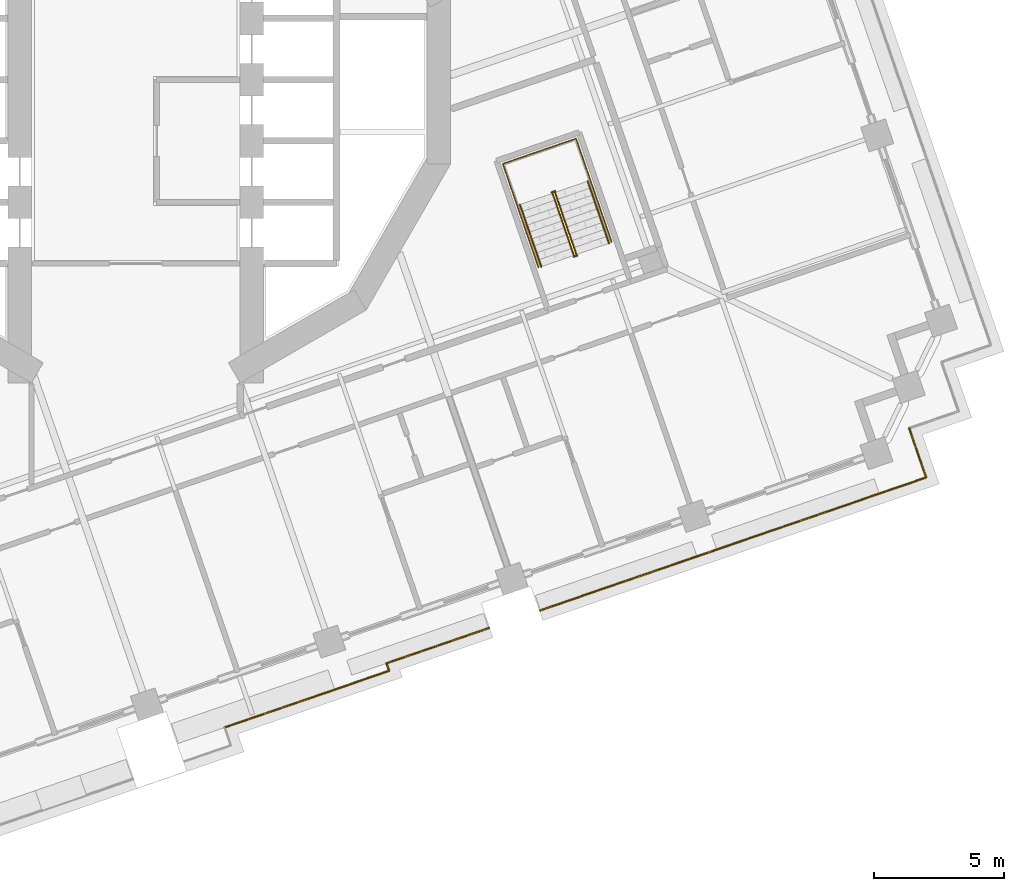
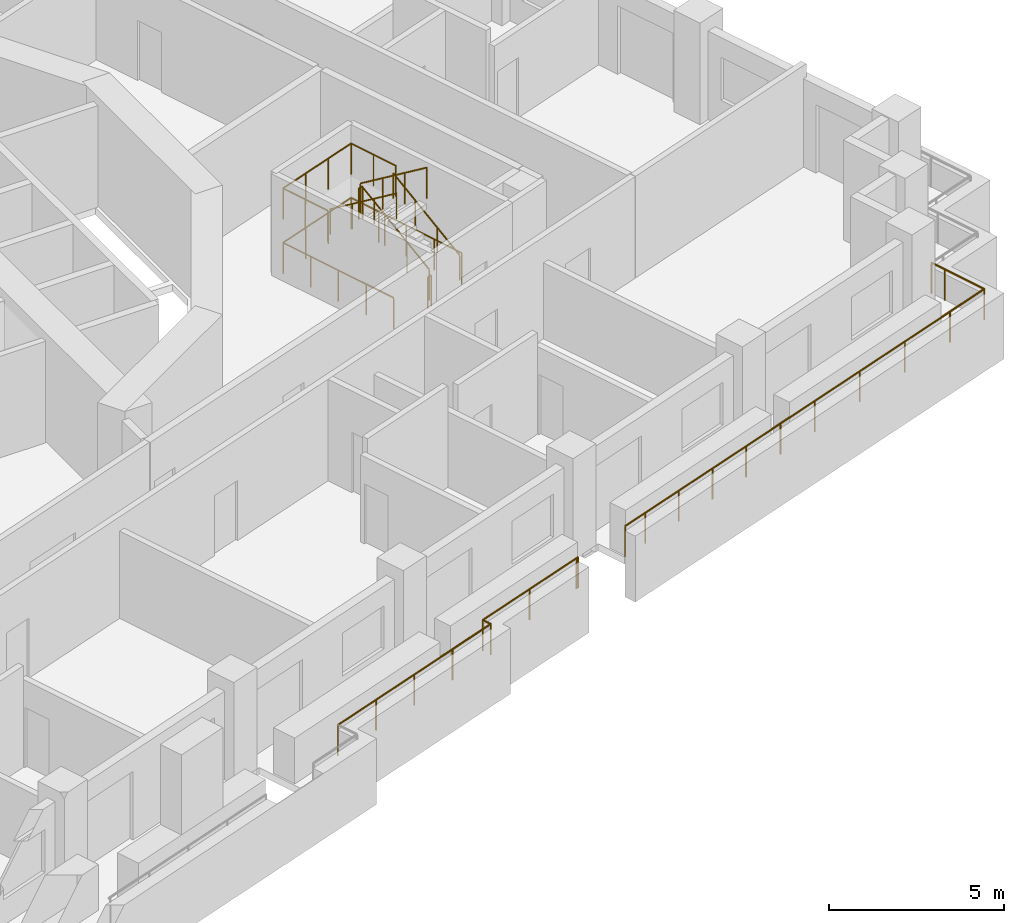
# One storey, part 14 of 18: 9 railings.
"""IFC4 building model written with IfcOpenShell, lengths in metres."""

from ifc_helpers import new_model, si_unit, direction, frame, origin, origin_2d, place, context, subcontext, project, spatial, circle, extrude, material, type_object, element, save


model = new_model("IFC4")

# Units and contexts
model_context = context("Model", 3, precision=1e-05, world=origin(), true_north=direction((0.0, 1.0)))
body_context = subcontext(model_context, "Body", "Model", "MODEL_VIEW")
ifc_project = project(units=[si_unit("LENGTHUNIT", "METRE"), si_unit("AREAUNIT", "SQUARE_METRE"), si_unit("VOLUMEUNIT", "CUBIC_METRE"), si_unit("PLANEANGLEUNIT", "RADIAN"), si_unit("MASSUNIT", "GRAM", prefix="KILO")], contexts=[model_context])

# Site, building, storey
site_placement = place(None, origin())
site = spatial("IfcSite", under=ifc_project, at=site_placement, CompositionType="ELEMENT")
building_placement = place(site_placement, origin())
building = spatial("IfcBuilding", under=site, at=building_placement, Name="Cantera Rosa Tower", CompositionType="ELEMENT")
storey_placement = place(building_placement, frame((0.0, 0.0, 134.5)))
storey = spatial("IfcBuildingStorey", under=building, at=storey_placement, Name="L28", CompositionType="ELEMENT", Elevation=134.5)

# Railings
ifc_material_1 = material(Name="Stainless steel and laminated glass", Category="steel")
railing_type_1 = type_object("IfcRailingType", Name="GUARD 1100", PredefinedType="BALUSTRADE", material=ifc_material_1)
railing_1_placement = place(storey_placement, frame((13.55615234375, -21.032470703125, 0.0)))
element("IfcRailing", 1, at=railing_1_placement, inside=storey, type_object=railing_type_1, Name="GUARD L28-9", PredefinedType="BALUSTRADE", context=body_context, shape_type="SweptSolid", body=[
    extrude(circle(Radius=0.030029296875, at=origin_2d()), frame((0.0, 0.0, 1.070068359375), z_axis=(-0.946220044844, -0.323523765333, 0.0), x_axis=(0.323523765333, -0.946220044844, 0.0)), (0.0, 0.0, 1.0), 0.070068359375),
    extrude(circle(Radius=0.030029296875, at=origin_2d()), frame((-0.06640625, -0.022705078125, 1.070068359375), z_axis=(-0.945499055222, -0.325624840228, 0.0), x_axis=(0.325624840228, -0.945499055222, 0.0)), (0.0, 0.0, 1.0), 4.093017578125),
    extrude(circle(Radius=0.030029296875, at=origin_2d()), frame((-3.936279296875, -1.35546875, 1.070068359375), z_axis=(0.325524604467, -0.945533569942, 0.0), x_axis=(0.945533569942, 0.325524604467, 0.0)), (0.0, 0.0, 1.0), 0.306640625),
    extrude(circle(Radius=0.030029296875, at=origin_2d()), frame((-3.83642578125, -1.6455078125, 1.070068359375), z_axis=(-0.94552097525, -0.325561185281, 0.0), x_axis=(0.325561185281, -0.94552097525, 0.0)), (0.0, 0.0, 1.0), 6.6748046875),
    extrude(circle(Radius=0.02490234375, at=origin_2d()), origin(), (0.0, 0.0, 1.0), 1.0400390625),
    extrude(circle(Radius=0.02490234375, at=origin_2d()), frame((-0.06640625, -0.022705078125, 0.0)), (0.0, 0.0, 1.0), 1.0400390625),
    extrude(circle(Radius=0.02490234375, at=origin_2d()), frame((-2.00146484375, -0.68896484375, 0.0)), (0.0, 0.0, 1.0), 1.0400390625),
    extrude(circle(Radius=0.02490234375, at=origin_2d()), frame((-3.936279296875, -1.35546875, 0.0)), (0.0, 0.0, 1.0), 1.0400390625),
    extrude(circle(Radius=0.02490234375, at=origin_2d()), frame((-3.83642578125, -1.6455078125, 0.0)), (0.0, 0.0, 1.0), 1.0400390625),
    extrude(circle(Radius=0.02490234375, at=origin_2d()), frame((-5.414306640625, -2.188720703125, 0.0)), (0.0, 0.0, 1.0), 1.0400390625),
    extrude(circle(Radius=0.02490234375, at=origin_2d()), frame((-6.9921875, -2.73193359375, 0.0)), (0.0, 0.0, 1.0), 1.0400390625),
    extrude(circle(Radius=0.02490234375, at=origin_2d()), frame((-8.56982421875, -3.275390625, 0.0)), (0.0, 0.0, 1.0), 1.0400390625),
    extrude(circle(Radius=0.02490234375, at=origin_2d()), frame((-10.147705078125, -3.818603515625, 0.0)), (0.0, 0.0, 1.0), 1.0400390625),
])
railing_2_placement = place(storey_placement, frame((29.6689453125, -13.369140625, 0.0)))
element("IfcRailing", 2, at=railing_2_placement, inside=storey, type_object=railing_type_1, Name="GUARD L28-10", PredefinedType="BALUSTRADE", context=body_context, shape_type="SweptSolid", body=[
    extrude(circle(Radius=0.030029296875, at=origin_2d()), frame((0.0, 0.0, 1.070068359375), z_axis=(0.32573481536, -0.945461173218, 0.0), x_axis=(0.945461173218, 0.32573481536, 0.0)), (0.0, 0.0, 1.0), 0.5),
    extrude(circle(Radius=0.030029296875, at=origin_2d()), frame((0.162841796875, -0.47265625, 1.070068359375), z_axis=(0.325489086777, -0.945545797087, 0.0), x_axis=(0.945545797087, 0.325489086777, 0.0)), (0.0, 0.0, 1.0), 1.500244140625),
    extrude(circle(Radius=0.030029296875, at=origin_2d()), frame((0.651123046875, -1.89111328125, 1.070068359375), z_axis=(-0.945528551438, -0.325539181077, 0.0), x_axis=(0.325539181077, -0.945528551438, 0.0)), (0.0, 0.0, 1.0), 1.5),
    extrude(circle(Radius=0.030029296875, at=origin_2d()), frame((-0.76708984375, -2.37939453125, 1.070068359375), z_axis=(-0.945517123015, -0.325572373037, 0.0), x_axis=(0.325572373037, -0.945517123015, 0.0)), (0.0, 0.0, 1.0), 5.900146484375),
    extrude(circle(Radius=0.030029296875, at=origin_2d()), frame((-6.345703125, -4.30029296875, 1.070068359375), z_axis=(-0.945528551438, -0.325539181077, 0.0), x_axis=(0.325539181077, -0.945528551438, 0.0)), (0.0, 0.0, 1.0), 2.999755859375),
    extrude(circle(Radius=0.030029296875, at=origin_2d()), frame((-9.18212890625, -5.27685546875, 1.070068359375), z_axis=(-0.945513227049, -0.325583687361, 0.0), x_axis=(0.325583687361, -0.945513227049, 0.0)), (0.0, 0.0, 1.0), 4.400146484375),
    extrude(circle(Radius=0.030029296875, at=origin_2d()), frame((-13.342529296875, -6.70947265625, 1.070068359375), z_axis=(-0.945522007901, -0.325558186158, 0.0), x_axis=(0.325558186158, -0.945522007901, 0.0)), (0.0, 0.0, 1.0), 0.869873046875),
    extrude(circle(Radius=0.02490234375, at=origin_2d()), origin(), (0.0, 0.0, 1.0), 1.0400390625),
    extrude(circle(Radius=0.02490234375, at=origin_2d()), frame((0.162841796875, -0.47265625, 0.0)), (0.0, 0.0, 1.0), 1.0400390625),
    extrude(circle(Radius=0.02490234375, at=origin_2d()), frame((0.651123046875, -1.89111328125, 0.0)), (0.0, 0.0, 1.0), 1.0400390625),
    extrude(circle(Radius=0.02490234375, at=origin_2d()), frame((-0.76708984375, -2.37939453125, 0.0)), (0.0, 0.0, 1.0), 1.0400390625),
    extrude(circle(Radius=0.02490234375, at=origin_2d()), frame((-2.626708984375, -3.019775390625, 0.0)), (0.0, 0.0, 1.0), 1.0400390625),
    extrude(circle(Radius=0.02490234375, at=origin_2d()), frame((-4.486083984375, -3.659912109375, 0.0)), (0.0, 0.0, 1.0), 1.0400390625),
    extrude(circle(Radius=0.02490234375, at=origin_2d()), frame((-6.345703125, -4.30029296875, 0.0)), (0.0, 0.0, 1.0), 1.0400390625),
    extrude(circle(Radius=0.02490234375, at=origin_2d()), frame((-7.763916015625, -4.78857421875, 0.0)), (0.0, 0.0, 1.0), 1.0400390625),
    extrude(circle(Radius=0.02490234375, at=origin_2d()), frame((-9.18212890625, -5.27685546875, 0.0)), (0.0, 0.0, 1.0), 1.0400390625),
    extrude(circle(Radius=0.02490234375, at=origin_2d()), frame((-10.56884765625, -5.75439453125, 0.0)), (0.0, 0.0, 1.0), 1.0400390625),
    extrude(circle(Radius=0.02490234375, at=origin_2d()), frame((-11.955810546875, -6.23193359375, 0.0)), (0.0, 0.0, 1.0), 1.0400390625),
    extrude(circle(Radius=0.02490234375, at=origin_2d()), frame((-13.342529296875, -6.70947265625, 0.0)), (0.0, 0.0, 1.0), 1.0400390625),
    extrude(circle(Radius=0.02490234375, at=origin_2d()), frame((-14.1650390625, -6.99267578125, 0.0)), (0.0, 0.0, 1.0), 1.0400390625),
])
ifc_material_2 = material(Name="Steel S355J2 (EN 10025-2)", Category="steel")
railing_type_2 = type_object("IfcRailingType", Name="STAIR GUARD 1100", PredefinedType="GUARDRAIL", material=ifc_material_2)
railing_3_placement = place(storey_placement, frame((16.902099609375, -6.707763671875, 0.18994140625)))
element("IfcRailing", 3, at=railing_3_placement, inside=storey, type_object=railing_type_2, Name="L28 ST-23 stair guard 1", PredefinedType="GUARDRAIL", context=body_context, shape_type="SweptSolid", body=[
    extrude(circle(Radius=0.02392578125, at=origin_2d()), frame((0.0, 0.0, 1.076171875), z_axis=(-0.269358070891, 0.782421063063, 0.561483312059), x_axis=(-0.945537585866, -0.325512939397, 0.0)), (0.0, 0.0, 1.0), 3.04541015625),
    extrude(circle(Radius=0.02392578125, at=origin_2d()), frame((-0.8203125, 2.3828125, 2.7861328125), z_axis=(0.147491890402, 0.989063265047, 0.0), x_axis=(-0.989063265047, 0.147491890402, 0.0)), (0.0, 0.0, 1.0), 0.056396484375),
    extrude(circle(Radius=0.02392578125, at=origin_2d()), frame((-0.81201171875, 2.4384765625, 2.7861328125), z_axis=(-0.945545797087, -0.325489086777, 0.0), x_axis=(0.325489086777, -0.945545797087, 0.0)), (0.0, 0.0, 1.0), 0.14990234375),
    extrude(circle(Radius=0.02099609375, at=origin_2d()), origin(), (0.0, 0.0, 1.0), 1.052001953125),
    extrude(circle(Radius=0.02099609375, at=origin_2d()), frame((-0.2734375, 0.794189453125, 0.570068359375)), (0.0, 0.0, 1.0), 1.052001953125),
    extrude(circle(Radius=0.02099609375, at=origin_2d()), frame((-0.546875, 1.588623046875, 1.139892578125)), (0.0, 0.0, 1.0), 1.052001953125),
    extrude(circle(Radius=0.02099609375, at=origin_2d()), frame((-0.8203125, 2.3828125, 1.7099609375)), (0.0, 0.0, 1.0), 1.052001953125),
    extrude(circle(Radius=0.02099609375, at=origin_2d()), frame((-0.81201171875, 2.4384765625, 1.7099609375)), (0.0, 0.0, 1.0), 1.052001953125),
    extrude(circle(Radius=0.02099609375, at=origin_2d()), frame((-0.953857421875, 2.3896484375, 1.7099609375)), (0.0, 0.0, 1.0), 1.052001953125),
])
railing_4_placement = place(storey_placement, frame((15.989013671875, -4.35693359375, 2.090087890625)))
element("IfcRailing", 4, at=railing_4_placement, inside=storey, type_object=railing_type_2, Name="L28 ST-23 stair guard 2", PredefinedType="GUARDRAIL", context=body_context, shape_type="SweptSolid", body=[
    extrude(circle(Radius=0.02392578125, at=origin_2d()), frame((0.0, 0.0, 1.076171875), z_axis=(0.269432418223, -0.782404165978, 0.561471186323), x_axis=(0.94550776501, 0.325599548996, 0.0)), (0.0, 0.0, 1.0), 3.04541015625),
    extrude(circle(Radius=0.02099609375, at=origin_2d()), origin(), (0.0, 0.0, 1.0), 1.052001953125),
    extrude(circle(Radius=0.02099609375, at=origin_2d()), frame((0.2734375, -0.794189453125, 0.570068359375)), (0.0, 0.0, 1.0), 1.052001953125),
    extrude(circle(Radius=0.02099609375, at=origin_2d()), frame((0.547119140625, -1.588623046875, 1.139892578125)), (0.0, 0.0, 1.0), 1.052001953125),
    extrude(circle(Radius=0.02099609375, at=origin_2d()), frame((0.820556640625, -2.3828125, 1.7099609375)), (0.0, 0.0, 1.0), 1.052001953125),
])
railing_5_placement = place(storey_placement, frame((16.94287109375, -6.74658203125, 0.0)))
element("IfcRailing", 5, at=railing_5_placement, inside=storey, type_object=railing_type_2, Name="L28 ST-23 stair guard 3", PredefinedType="GUARDRAIL", context=body_context, shape_type="SweptSolid", body=[
    extrude(circle(Radius=0.02392578125, at=origin_2d()), frame((0.0, 0.0, 1.076171875), z_axis=(-0.945372981626, -0.325990683319, 0.0), x_axis=(0.325990683319, -0.945372981626, 0.0)), (0.0, 0.0, 1.0), 0.14990234375),
    extrude(circle(Radius=0.02099609375, at=origin_2d()), origin(), (0.0, 0.0, 1.0), 1.052001953125),
    extrude(circle(Radius=0.02099609375, at=origin_2d()), frame((-0.1416015625, -0.048828125, 0.0)), (0.0, 0.0, 1.0), 1.052001953125),
])
railing_6_placement = place(storey_placement, frame((18.256103515625, -6.22900390625, 0.0)))
element("IfcRailing", 6, at=railing_6_placement, inside=storey, type_object=railing_type_2, Name="L28 ST-23 stair guard 4", PredefinedType="GUARDRAIL", context=body_context, shape_type="SweptSolid", body=[
    extrude(circle(Radius=0.02392578125, at=origin_2d()), frame((0.0, 0.0, 1.076171875), z_axis=(-0.3255981694, 0.945508240093, 0.0), x_axis=(-0.945508240093, -0.3255981694, 0.0)), (0.0, 0.0, 1.0), 4.1982421875),
    extrude(circle(Radius=0.02392578125, at=origin_2d()), frame((-1.366943359375, 3.969482421875, 1.076171875), z_axis=(-0.945504814226, -0.325608117645, 0.0), x_axis=(0.325608117645, -0.945504814226, 0.0)), (0.0, 0.0, 1.0), 2.969970703125),
    extrude(circle(Radius=0.02392578125, at=origin_2d()), frame((-4.175048828125, 3.00244140625, 1.076171875), z_axis=(0.325564081496, -0.945519978022, 0.0), x_axis=(0.945519978022, 0.325564081496, 0.0)), (0.0, 0.0, 1.0), 4.197998046875),
    extrude(circle(Radius=0.02099609375, at=origin_2d()), origin(), (0.0, 0.0, 1.0), 1.052001953125),
    extrude(circle(Radius=0.02099609375, at=origin_2d()), frame((-0.341796875, 0.992431640625, 0.0)), (0.0, 0.0, 1.0), 1.052001953125),
    extrude(circle(Radius=0.02099609375, at=origin_2d()), frame((-0.68359375, 1.98486328125, 0.0)), (0.0, 0.0, 1.0), 1.052001953125),
    extrude(circle(Radius=0.02099609375, at=origin_2d()), frame((-1.025146484375, 2.97705078125, 0.0)), (0.0, 0.0, 1.0), 1.052001953125),
    extrude(circle(Radius=0.02099609375, at=origin_2d()), frame((-1.366943359375, 3.969482421875, 0.0)), (0.0, 0.0, 1.0), 1.052001953125),
    extrude(circle(Radius=0.02099609375, at=origin_2d()), frame((-2.302978515625, 3.647216796875, 0.0)), (0.0, 0.0, 1.0), 1.052001953125),
    extrude(circle(Radius=0.02099609375, at=origin_2d()), frame((-3.239013671875, 3.32470703125, 0.0)), (0.0, 0.0, 1.0), 1.052001953125),
    extrude(circle(Radius=0.02099609375, at=origin_2d()), frame((-4.175048828125, 3.00244140625, 0.0)), (0.0, 0.0, 1.0), 1.052001953125),
    extrude(circle(Radius=0.02099609375, at=origin_2d()), frame((-3.83349609375, 2.01025390625, 0.0)), (0.0, 0.0, 1.0), 1.052001953125),
    extrude(circle(Radius=0.02099609375, at=origin_2d()), frame((-3.49169921875, 1.017822265625, 0.0)), (0.0, 0.0, 1.0), 1.052001953125),
    extrude(circle(Radius=0.02099609375, at=origin_2d()), frame((-3.14990234375, 0.025390625, 0.0)), (0.0, 0.0, 1.0), 1.052001953125),
    extrude(circle(Radius=0.02099609375, at=origin_2d()), frame((-2.808349609375, -0.966796875, 0.0)), (0.0, 0.0, 1.0), 1.052001953125),
])
railing_7_placement = place(storey_placement, frame((17.443359375, -3.868896484375, 1.89990234375)))
element("IfcRailing", 7, at=railing_7_placement, inside=storey, type_object=railing_type_2, Name="L28 ST-23 stair guard 5", PredefinedType="GUARDRAIL", context=body_context, shape_type="SweptSolid", body=[
    extrude(circle(Radius=0.02392578125, at=origin_2d()), frame((0.0, 0.0, 1.076171875), z_axis=(-0.32559282233, 0.94551008141, 0.0), x_axis=(-0.94551008141, -0.32559282233, 0.0)), (0.0, 0.0, 1.0), 1.7021484375),
    extrude(circle(Radius=0.02392578125, at=origin_2d()), frame((-0.55419921875, 1.609375, 1.076171875), z_axis=(-0.945504814226, -0.325608117645, 0.0), x_axis=(0.325608117645, -0.945504814226, 0.0)), (0.0, 0.0, 1.0), 2.969970703125),
    extrude(circle(Radius=0.02392578125, at=origin_2d()), frame((-3.3623046875, 0.642333984375, 1.076171875), z_axis=(0.32559282233, -0.94551008141, 0.0), x_axis=(0.94551008141, 0.32559282233, 0.0)), (0.0, 0.0, 1.0), 1.7021484375),
    extrude(circle(Radius=0.02099609375, at=origin_2d()), origin(), (0.0, 0.0, 1.0), 1.052001953125),
    extrude(circle(Radius=0.02099609375, at=origin_2d()), frame((-0.277099609375, 0.8046875, 0.0)), (0.0, 0.0, 1.0), 1.052001953125),
    extrude(circle(Radius=0.02099609375, at=origin_2d()), frame((-0.55419921875, 1.609375, 0.0)), (0.0, 0.0, 1.0), 1.052001953125),
    extrude(circle(Radius=0.02099609375, at=origin_2d()), frame((-1.490234375, 1.287109375, 0.0)), (0.0, 0.0, 1.0), 1.052001953125),
    extrude(circle(Radius=0.02099609375, at=origin_2d()), frame((-2.42626953125, 0.964599609375, 0.0)), (0.0, 0.0, 1.0), 1.052001953125),
    extrude(circle(Radius=0.02099609375, at=origin_2d()), frame((-3.3623046875, 0.642333984375, 0.0)), (0.0, 0.0, 1.0), 1.052001953125),
    extrude(circle(Radius=0.02099609375, at=origin_2d()), frame((-3.085205078125, -0.162353515625, 0.0)), (0.0, 0.0, 1.0), 1.052001953125),
    extrude(circle(Radius=0.02099609375, at=origin_2d()), frame((-2.80810546875, -0.967041015625, 0.0)), (0.0, 0.0, 1.0), 1.052001953125),
])
ifc_material_3 = material(Name="Steel S355J2 (EN 10025-2)", Category="steel")
railing_type_3 = type_object("IfcRailingType", Name="STAIR HANDRAIL 900", PredefinedType="HANDRAIL", material=ifc_material_3)
railing_8_placement = place(storey_placement, frame((18.15576171875, -6.276123046875, 0.18994140625)))
element("IfcRailing", 8, at=railing_8_placement, inside=storey, type_object=railing_type_3, Name="L28 ST-23 stair handrail 1", PredefinedType="HANDRAIL", context=body_context, shape_type="SweptSolid", body=[
    extrude(circle(Radius=0.02392578125, at=origin_2d()), frame((0.0, 0.0, 0.8759765625), z_axis=(-0.269358070891, 0.782421063063, 0.561483312059), x_axis=(-0.945537585866, -0.325512939397, 0.0)), (0.0, 0.0, 1.0), 3.04541015625),
    extrude(circle(Radius=0.02099609375, at=origin_2d()), origin(), (0.0, 0.0, 1.0), 0.851806640625),
    extrude(circle(Radius=0.02099609375, at=origin_2d()), frame((-0.2734375, 0.794189453125, 0.570068359375)), (0.0, 0.0, 1.0), 0.851806640625),
    extrude(circle(Radius=0.02099609375, at=origin_2d()), frame((-0.546875, 1.588623046875, 1.139892578125)), (0.0, 0.0, 1.0), 0.851806640625),
    extrude(circle(Radius=0.02099609375, at=origin_2d()), frame((-0.8203125, 2.3828125, 1.7099609375)), (0.0, 0.0, 1.0), 0.851806640625),
])
railing_9_placement = place(storey_placement, frame((14.7353515625, -4.78857421875, 2.090087890625)))
element("IfcRailing", 9, at=railing_9_placement, inside=storey, type_object=railing_type_3, Name="L28 ST-23 stair handrail 2", PredefinedType="HANDRAIL", context=body_context, shape_type="SweptSolid", body=[
    extrude(circle(Radius=0.02392578125, at=origin_2d()), frame((0.0, 0.0, 0.8759765625), z_axis=(0.269358070891, -0.782421063063, 0.561483312059), x_axis=(0.945537585866, 0.325512939397, 0.0)), (0.0, 0.0, 1.0), 3.04541015625),
    extrude(circle(Radius=0.02099609375, at=origin_2d()), origin(), (0.0, 0.0, 1.0), 0.851806640625),
    extrude(circle(Radius=0.02099609375, at=origin_2d()), frame((0.2734375, -0.794189453125, 0.570068359375)), (0.0, 0.0, 1.0), 0.851806640625),
    extrude(circle(Radius=0.02099609375, at=origin_2d()), frame((0.546875, -1.588623046875, 1.139892578125)), (0.0, 0.0, 1.0), 0.851806640625),
    extrude(circle(Radius=0.02099609375, at=origin_2d()), frame((0.8203125, -2.3828125, 1.7099609375)), (0.0, 0.0, 1.0), 0.851806640625),
])

save(model, "model.ifc")
